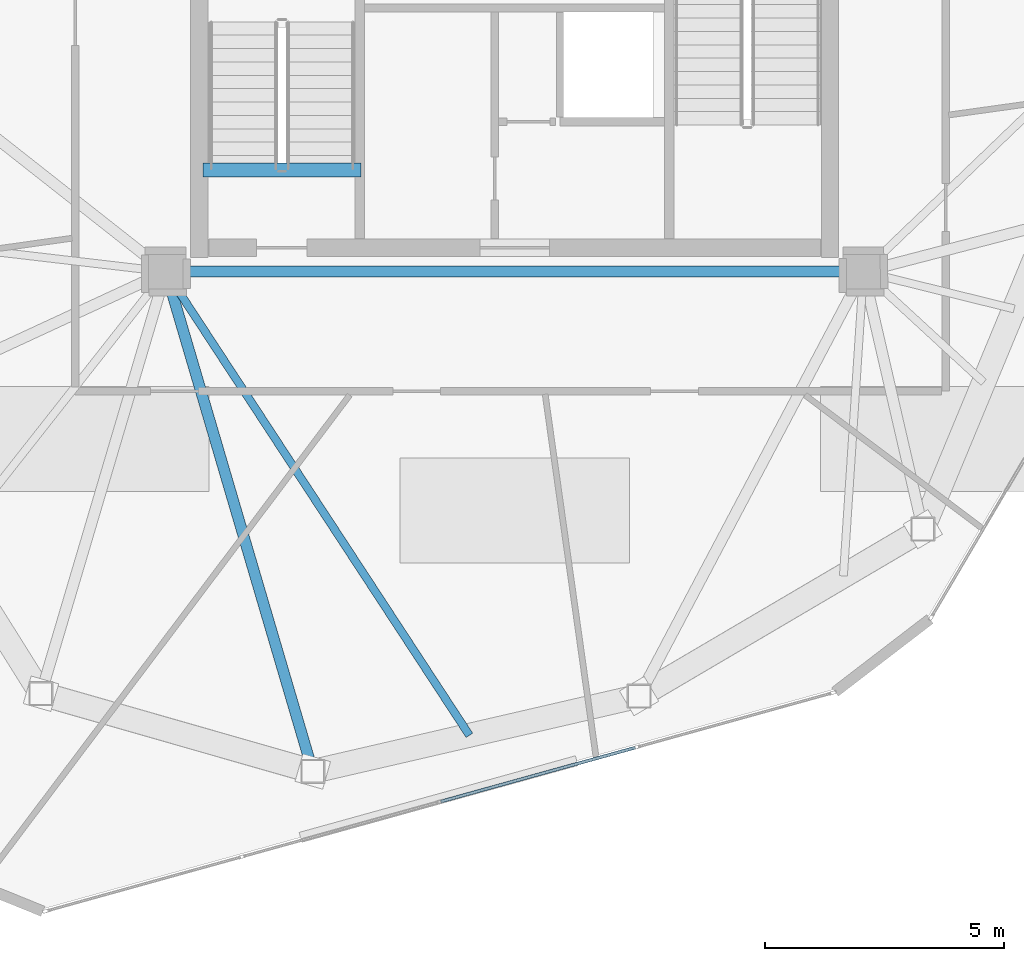
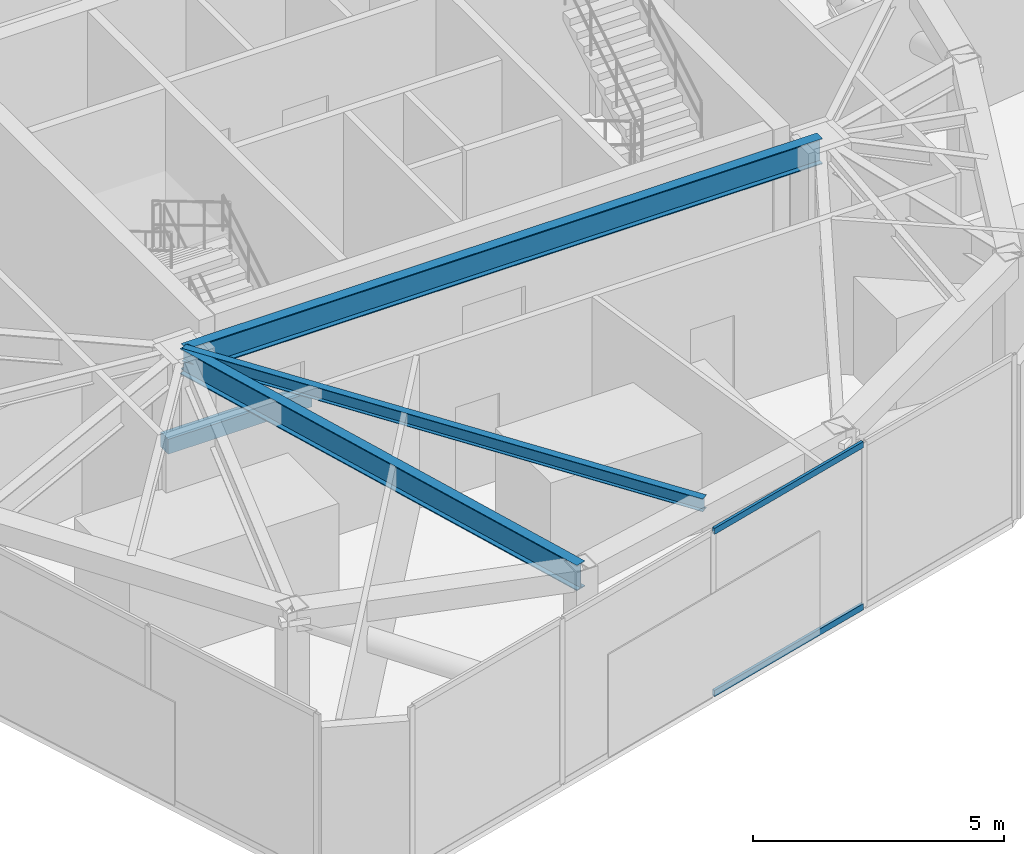
# One storey, part 5 of 19: 4 beams, 2 members, 1 element without a shape of its own.
"""IFC4 building model written with IfcOpenShell, lengths in metres."""

import ifcopenshell
import ifcopenshell.guid

model = None  # the IFC model being written
_history = None  # IfcOwnerHistory: only IFC2X3 demands one
_inside = {}  # id of a spatial element -> (the spatial element, [elements in it])
_under = {}  # id of a project, library or spatial element -> (it, [spatial elements below it])
_declared = {}  # id of a project -> (the project, [libraries it declares])
_typed = {}  # id of a type object -> (the type object, [elements of that type])
_made_of = {}  # id of a material, layer set ... -> (it, [elements and type objects made of it])


def new_model(schema):
    """Start an empty IFC model of exactly this schema.

    Asked for "IFC4X3", IfcOpenShell would pick the latest addendum, in which some entities
    have other attributes; the version numbers below select the first issue.
    IFC2X3 requires an IfcOwnerHistory on every rooted entity: one is made here for all.
    """
    global model, _history
    if schema == "IFC4X3":
        model = ifcopenshell.file(schema_version=(4, 3, 0, 0))
    else:
        model = ifcopenshell.file(schema=schema)
    _inside.clear()
    _under.clear()
    _declared.clear()
    _typed.clear()
    _made_of.clear()
    _history = None
    if model.schema == "IFC2X3":
        org = make("IfcOrganization", Name="unknown")
        user = make(
            "IfcPersonAndOrganization",
            ThePerson=make("IfcPerson", FamilyName="unknown"),
            TheOrganization=org,
        )
        app = make(
            "IfcApplication",
            ApplicationDeveloper=org,
            Version="unknown",
            ApplicationFullName="unknown",
            ApplicationIdentifier="unknown",
        )
        _history = make(
            "IfcOwnerHistory",
            OwningUser=user,
            OwningApplication=app,
            ChangeAction="ADDED",
            CreationDate=0,
        )
    return model


def make(cls, **values):
    """One entity of the class cls with the attributes given. An attribute that is None is left unset."""
    return model.create_entity(
        cls, **{name: value for name, value in values.items() if value is not None}
    )


def rooted(cls, **values):
    """An entity with a GlobalId (a new one), such as an element, a storey or a relation."""
    return make(cls, GlobalId=ifcopenshell.guid.new(), OwnerHistory=_history, **values)


def si_unit(unit_type, name, prefix=None):
    """IfcSIUnit, for example si_unit("LENGTHUNIT", "METRE", prefix="MILLI")."""
    return make("IfcSIUnit", UnitType=unit_type, Prefix=prefix, Name=name)


def assignment(units):
    """IfcUnitAssignment: the units of a project."""
    return None if units is None else make("IfcUnitAssignment", Units=units)


def point(xyz):
    """IfcCartesianPoint."""
    return None if xyz is None else make("IfcCartesianPoint", Coordinates=xyz)


def direction(xyz):
    """IfcDirection."""
    return None if xyz is None else make("IfcDirection", DirectionRatios=xyz)


def frame(location, z_axis=None, x_axis=None):
    """IfcAxis2Placement3D, a coordinate frame: its origin and axes. An axis left out is left unset."""
    return make(
        "IfcAxis2Placement3D",
        Location=point(location),
        Axis=direction(z_axis),
        RefDirection=direction(x_axis),
    )


def frame_2d(location, x_axis=None):
    """IfcAxis2Placement2D, a coordinate frame in the plane: its origin and x axis."""
    return make(
        "IfcAxis2Placement2D", Location=point(location), RefDirection=direction(x_axis)
    )


def origin():
    """The frame at (0, 0, 0) with its axes left unset."""
    return frame((0.0, 0.0, 0.0))


def origin_2d():
    """The frame at (0, 0) in the plane with its x axis left unset."""
    return frame_2d((0.0, 0.0))


def place(relative_to, where):
    """IfcLocalPlacement: puts the frame where relative to a parent placement (None: the world)."""
    return make(
        "IfcLocalPlacement", PlacementRelTo=relative_to, RelativePlacement=where
    )


def context(
    kind, dimensions, precision=None, world=None, true_north=None, identifier=None
):
    """IfcGeometricRepresentationContext, for example the 3D "Model" context."""
    return make(
        "IfcGeometricRepresentationContext",
        ContextIdentifier=identifier,
        ContextType=kind,
        CoordinateSpaceDimension=dimensions,
        Precision=precision,
        WorldCoordinateSystem=world,
        TrueNorth=true_north,
    )


def subcontext(parent, identifier, kind, view, scale=None):
    """IfcGeometricRepresentationSubContext, for example "Body" below "Model"."""
    return make(
        "IfcGeometricRepresentationSubContext",
        ContextIdentifier=identifier,
        ContextType=kind,
        ParentContext=parent,
        TargetScale=scale,
        TargetView=view,
    )


def project(units=None, contexts=None):
    """IfcProject with its units and contexts."""
    return rooted(
        "IfcProject",
        Name="project",
        RepresentationContexts=contexts,
        UnitsInContext=assignment(units),
    )


def spatial(cls, under=None, at=None, **own):
    """A site, building, storey or space (cls), placed at a placement, below another one or the project."""
    s = rooted(cls, ObjectPlacement=at, **own)
    if under is not None:
        _under.setdefault(under.id(), (under, []))[1].append(s)
    return s


def profile(cls, at=None, kind="AREA", **sizes):
    """A parametric profile (cls). Its sizes go by their IFC names, for example OverallWidth=200.0."""
    return make(cls, ProfileType=kind, Position=at, **sizes)


def rectangle(**sizes):
    """IfcRectangleProfileDef."""
    return profile("IfcRectangleProfileDef", **sizes)


def hollow_rectangle(**sizes):
    """IfcRectangleHollowProfileDef."""
    return profile("IfcRectangleHollowProfileDef", **sizes)


def i_section(**sizes):
    """IfcIShapeProfileDef."""
    return profile("IfcIShapeProfileDef", **sizes)


def extrude(swept, where, along, depth):
    """IfcExtrudedAreaSolid: the profile swept, set in the frame where, extruded along a direction by depth."""
    return make(
        "IfcExtrudedAreaSolid",
        SweptArea=swept,
        Position=where,
        ExtrudedDirection=direction(along),
        Depth=depth,
    )


def shape(context_of_items, identifier, shape_type, items):
    """IfcShapeRepresentation: the items that make up one representation, for example the "Body"."""
    return make(
        "IfcShapeRepresentation",
        ContextOfItems=context_of_items,
        RepresentationIdentifier=identifier,
        RepresentationType=shape_type,
        Items=items,
    )


def source(mapping_origin, context_of_items, identifier, shape_type, items):
    """IfcRepresentationMap: a shape defined once, which mapped items show again and again."""
    return make(
        "IfcRepresentationMap",
        MappingOrigin=mapping_origin,
        MappedRepresentation=shape(context_of_items, identifier, shape_type, items),
    )


def transform(
    local_origin,
    x_axis=None,
    y_axis=None,
    z_axis=None,
    scale=None,
    scale2=None,
    scale3=None,
    uniform=True,
):
    """IfcCartesianTransformationOperator3D, or its non-uniform kind. x_axis, y_axis, z_axis: its Axis1, 2, 3."""
    if uniform:
        return make(
            "IfcCartesianTransformationOperator3D",
            Axis1=direction(x_axis),
            Axis2=direction(y_axis),
            LocalOrigin=point(local_origin),
            Scale=scale,
            Axis3=direction(z_axis),
        )
    return make(
        "IfcCartesianTransformationOperator3DnonUniform",
        Axis1=direction(x_axis),
        Axis2=direction(y_axis),
        LocalOrigin=point(local_origin),
        Scale=scale,
        Axis3=direction(z_axis),
        Scale2=scale2,
        Scale3=scale3,
    )


def mapped(mapping_source, mapping_target):
    """IfcMappedItem: shows the shape of a source again, moved by a transform."""
    return make(
        "IfcMappedItem", MappingSource=mapping_source, MappingTarget=mapping_target
    )


def material(Name=None, Category=None):
    """IfcMaterial."""
    return make("IfcMaterial", Name=Name, Category=Category)


def layer(
    of_material, thickness, ventilated=None, Name=None, Category=None, Priority=None
):
    """IfcMaterialLayer: one layer of a wall or slab, of a material (None: an air gap)."""
    return make(
        "IfcMaterialLayer",
        Material=of_material,
        LayerThickness=thickness,
        IsVentilated=ventilated,
        Name=Name,
        Category=Category,
        Priority=Priority,
    )


def layer_set(layers, Name=None):
    """IfcMaterialLayerSet."""
    return make("IfcMaterialLayerSet", MaterialLayers=layers, LayerSetName=Name)


def material_profile(
    of_material, cross_section, Name=None, Category=None, Priority=None
):
    """IfcMaterialProfile: a cross section and its material."""
    return make(
        "IfcMaterialProfile",
        Name=Name,
        Material=of_material,
        Profile=cross_section,
        Priority=Priority,
        Category=Category,
    )


def profile_set(profiles, Name=None, composite=None):
    """IfcMaterialProfileSet."""
    return make(
        "IfcMaterialProfileSet",
        Name=Name,
        MaterialProfiles=profiles,
        CompositeProfile=composite,
    )


def made_of(thing, what):
    """Note that an element or type object is made of a material, layer set ...; save() writes the relation."""
    if what is not None:
        _made_of.setdefault(what.id(), (what, []))[1].append(thing)
    return thing


def type_object(cls, material=None, **own):
    """A type object (cls), such as IfcWallType, which elements share."""
    return made_of(rooted(cls, **own), material)


def type_shapes(of_type, sources):
    """Give a type object the sources (RepresentationMaps) that its elements show as mapped items."""
    of_type.RepresentationMaps = sources


def element(
    cls,
    number,
    at=None,
    inside=None,
    cuts=None,
    type_object=None,
    material=None,
    context=None,
    identifier="Body",
    shape_type=None,
    held_by="IfcProductDefinitionShape",
    body=None,
    shapes=None,
    **own,
):
    """One element of the class cls, such as IfcWall. Its Tag is "e" and its number.

    at: its placement. inside: the storey or other place that contains it. cuts: it is an
    opening in that element (IfcRelVoidsElement). A single representation is given by context,
    identifier, shape_type and body (its items); several are given by shapes. held_by: the class
    of the entity that holds the representations. save() writes the other relations.
    """
    e = rooted(cls, Tag="e%d" % number, ObjectPlacement=at, **own)
    if body is not None:
        shapes = [shape(context, identifier, shape_type, body)]
    if shapes is not None:
        e.Representation = make(held_by, Representations=shapes)
    if inside is not None:
        _inside.setdefault(inside.id(), (inside, []))[1].append(e)
    if cuts is not None:
        rooted(
            "IfcRelVoidsElement", RelatingBuildingElement=cuts, RelatedOpeningElement=e
        )
    if type_object is not None:
        _typed.setdefault(type_object.id(), (type_object, []))[1].append(e)
    return made_of(e, material)


def aggregate(whole, parts):
    """IfcRelAggregates: a whole, such as a stair, and the parts it consists of."""
    return rooted("IfcRelAggregates", RelatingObject=whole, RelatedObjects=parts)


def save(model, path):
    """Write the relations noted so far, then the file.

    IfcRelAggregates (storeys below a building ...), IfcRelContainedInSpatialStructure (elements
    in a storey), IfcRelDefinesByType, IfcRelAssociatesMaterial and IfcRelDeclares: one each for
    every whole, place, type object, material and project.
    """
    for whole, parts in _under.values():
        aggregate(whole, parts)
    for where, things in _inside.values():
        rooted(
            "IfcRelContainedInSpatialStructure",
            RelatedElements=things,
            RelatingStructure=where,
        )
    for kind, things in _typed.values():
        rooted("IfcRelDefinesByType", RelatedObjects=things, RelatingType=kind)
    for what, things in _made_of.values():
        rooted("IfcRelAssociatesMaterial", RelatedObjects=things, RelatingMaterial=what)
    for by, libraries in _declared.values():
        rooted("IfcRelDeclares", RelatingContext=by, RelatedDefinitions=libraries)
    model.write(path)


model = new_model("IFC4")

# Units and contexts
model_context = context("Model", 3, precision=1e-05, world=origin(), true_north=direction((0.0, 1.0)))
body_context = subcontext(model_context, "Body", "Model", "MODEL_VIEW")
ifc_project = project(units=[si_unit("LENGTHUNIT", "METRE"), si_unit("AREAUNIT", "SQUARE_METRE"), si_unit("VOLUMEUNIT", "CUBIC_METRE"), si_unit("PLANEANGLEUNIT", "RADIAN"), si_unit("MASSUNIT", "GRAM", prefix="KILO")], contexts=[model_context])

# Site, building, storey
site_placement = place(None, origin())
site = spatial("IfcSite", under=ifc_project, at=site_placement, CompositionType="ELEMENT")
building_placement = place(site_placement, origin())
building = spatial("IfcBuilding", under=site, at=building_placement, Name="Talar Marvaseh", CompositionType="ELEMENT")
storey_placement = place(building_placement, frame((0.0, 0.0, 296.0)))
storey = spatial("IfcBuildingStorey", under=building, at=storey_placement, Name="L79", CompositionType="ELEMENT", Elevation=296.0)

# Beams
ifc_material_1 = material(Name="Concrete C40/50", Category="concrete")
ifc_material_profile_1 = material_profile(ifc_material_1, rectangle(XDim=0.300048828125, YDim=0.360107421875, at=origin_2d()), Name="RC300x360")
ifc_profile_set_1 = profile_set([ifc_material_profile_1], Name="Concrete C40/50")
beam_type_1 = type_object("IfcBeamType", Name="Concrete Stair Landing Trimmer Beam RC300x360", PredefinedType="SPANDREL", material=ifc_profile_set_1)
beam_1_placement = place(storey_placement, frame((22.780029296875, 27.6298828125, -0.179931640625), z_axis=(-1.0, 0.0, 0.0), x_axis=(0.0, -1.0, 0.0)))
element("IfcBeam", 1, at=beam_1_placement, inside=storey, type_object=beam_type_1, Name="L79 ST-1 Stair Nosing Trimmer Beam", PredefinedType="SPANDREL", context=body_context, shape_type="SweptSolid", body=[
    extrude(rectangle(XDim=0.300048828125, YDim=0.360107421875, at=origin_2d()), origin(), (0.0, 0.0, 1.0), 3.300048828125),
])
ifc_material_2 = material(Name="Steel S355", Category="steel")
ifc_material_profile_2 = material_profile(ifc_material_2, i_section(OverallWidth=0.166015625, OverallDepth=0.31298828125, WebThickness=0.006591796875, FlangeThickness=0.01123046875, at=origin_2d()), Name="W310x45")
ifc_profile_set_2 = profile_set([ifc_material_profile_2], Name="Steel S355")
beam_type_2 = type_object("IfcBeamType", Name="Zone 3 Secondary Floor Joist W310x45", PredefinedType="JOIST", material=ifc_profile_set_2)
beam_2_placement = place(storey_placement, frame((25.053955078125, 15.797119140625, 3.58349609375), z_axis=(-0.547841891952, 0.836581891641, 0.0), x_axis=(-0.836581891641, -0.547841891952, 0.0)))
element("IfcBeam", 2, at=beam_2_placement, inside=storey, type_object=beam_type_2, Name="L79 Zone 3 Secondary Floor Joist W310x45", PredefinedType="JOIST", context=body_context, shape_type="SweptSolid", body=[
    extrude(i_section(OverallWidth=0.166015625, OverallDepth=0.31298828125, WebThickness=0.006591796875, FlangeThickness=0.01123046875, at=origin_2d()), origin(), (0.0, 0.0, 1.0), 11.59814453125),
])
ifc_material_profile_3 = material_profile(ifc_material_2, i_section(OverallWidth=0.22998046875, OverallDepth=0.616943359375, WebThickness=0.01318359375, FlangeThickness=0.022216796875, at=origin_2d()), Name="W610x140")
ifc_profile_set_3 = profile_set([ifc_material_profile_3], Name="Steel S355")
beam_type_3 = type_object("IfcBeamType", Name="Zone 4 Radial Floor Girder W610x140", PredefinedType="BEAM", material=ifc_profile_set_3)
beam_3_placement = place(storey_placement, frame((18.699951171875, 25.5, 3.431396484375), z_axis=(1.0, 0.0, 0.0), x_axis=(0.0, 1.0, 0.0)))
element("IfcBeam", 3, at=beam_3_placement, inside=storey, type_object=beam_type_3, Name="L79 Zone 4 Radial Floor Girder W610x140", PredefinedType="BEAM", context=body_context, shape_type="SweptSolid", body=[
    extrude(i_section(OverallWidth=0.22998046875, OverallDepth=0.616943359375, WebThickness=0.01318359375, FlangeThickness=0.022216796875, at=origin_2d()), origin(), (0.0, 0.0, 1.0), 14.60009765625),
])
beam_4_placement = place(storey_placement, frame((21.77587890625, 15.0400390625, 3.431396484375), z_axis=(-0.28212146763, 0.959378693479, 0.0), x_axis=(-0.959378693479, -0.28212146763, 0.0)))
element("IfcBeam", 4, at=beam_4_placement, inside=storey, type_object=beam_type_3, Name="L79 Zone 4 Radial Floor Girder W610x140", PredefinedType="BEAM", context=body_context, shape_type="SweptSolid", body=[
    extrude(i_section(OverallWidth=0.22998046875, OverallDepth=0.616943359375, WebThickness=0.01318359375, FlangeThickness=0.022216796875, at=origin_2d()), origin(), (0.0, 0.0, 1.0), 10.90283203125),
])

# Curtain wall, members
ifc_material_3 = material(Name="Architectural Aluminium", Category="aluminium")
ifc_layer = layer(ifc_material_3, 0.2099609375)
ifc_layer_set = layer_set([ifc_layer], Name="Architectural Aluminium")
curtain_wall_type = type_object("IfcCurtainWallType", Name="Crown Plant Acoustic Spandrel Curtain Wall", PredefinedType="NOTDEFINED", material=ifc_layer_set)
curtain_wall_placement = place(storey_placement, origin())
curtain_wall = element("IfcCurtainWall", 5, at=curtain_wall_placement, inside=storey, type_object=curtain_wall_type, Name="L79 Crown Plant Acoustic Spandrel Curtain Wall", PredefinedType="NOTDEFINED")
ifc_material_profile_4 = material_profile(ifc_material_3, hollow_rectangle(XDim=0.06494140625, YDim=0.14990234375, WallThickness=0.00390625, at=origin_2d()), Name="RHS150x65x4")
ifc_profile_set_4 = profile_set([ifc_material_profile_4], Name="Architectural Aluminium")
member_type = type_object("IfcMemberType", Name="Unitised Curtain Wall Slim Transom RHS150x65x4", PredefinedType="USERDEFINED", material=ifc_profile_set_4)
shared_shape = source(origin(), body_context, "Body", "SweptSolid", [
    extrude(hollow_rectangle(XDim=0.06494140625, YDim=0.14990234375, WallThickness=0.00390625, at=origin_2d()), origin(), (0.0, 0.0, 1.0), 4.22119140625),
])
type_shapes(member_type, [shared_shape])
member_1_placement = place(storey_placement, frame((28.5244140625, 15.539794921875, 0.032470703125), z_axis=(-0.963593272665, -0.267372408591, 0.0), x_axis=(0.267372408591, -0.963593272665, 0.0)))
member_1 = element("IfcMember", 6, at=member_1_placement, type_object=member_type, Name="CW-CRN transom 2.1", ObjectType="TRANSOM", PredefinedType="USERDEFINED", context=body_context, shape_type="MappedRepresentation", body=[
    mapped(shared_shape, transform((0.0, 0.0, 0.0), x_axis=(1.0, 0.0, 0.0), y_axis=(0.0, 1.0, 0.0), z_axis=(0.0, 0.0, 1.0), scale=1.0)),
])
member_2_placement = place(storey_placement, frame((28.5244140625, 15.539794921875, 3.967529296875), z_axis=(-0.963593272665, -0.267372408591, 0.0), x_axis=(0.267372408591, -0.963593272665, 0.0)))
member_2 = element("IfcMember", 7, at=member_2_placement, type_object=member_type, Name="CW-CRN transom 2.2", ObjectType="TRANSOM", PredefinedType="USERDEFINED", context=body_context, shape_type="MappedRepresentation", body=[
    mapped(shared_shape, transform((0.0, 0.0, 0.0), x_axis=(1.0, 0.0, 0.0), y_axis=(0.0, 1.0, 0.0), z_axis=(0.0, 0.0, 1.0), scale=1.0)),
])
aggregate(curtain_wall, [member_1, member_2])

save(model, "model.ifc")
